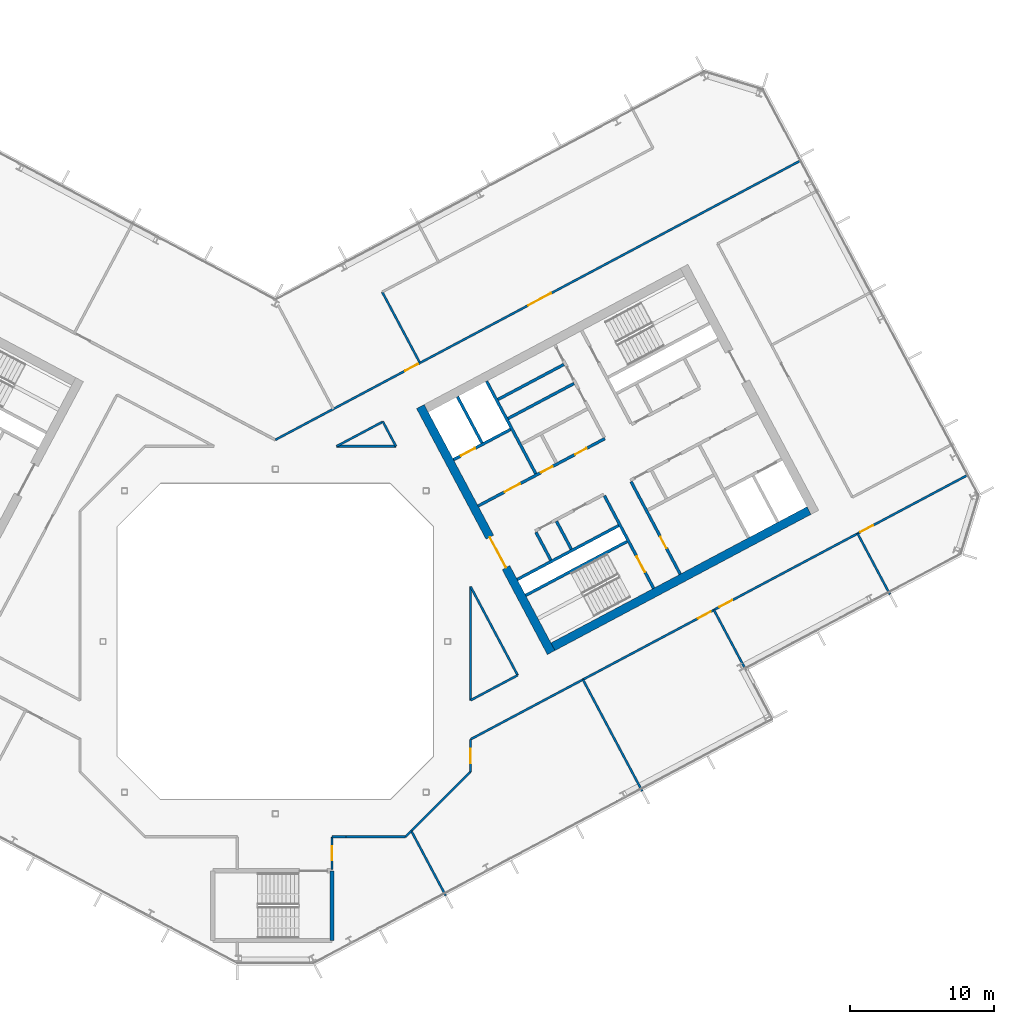
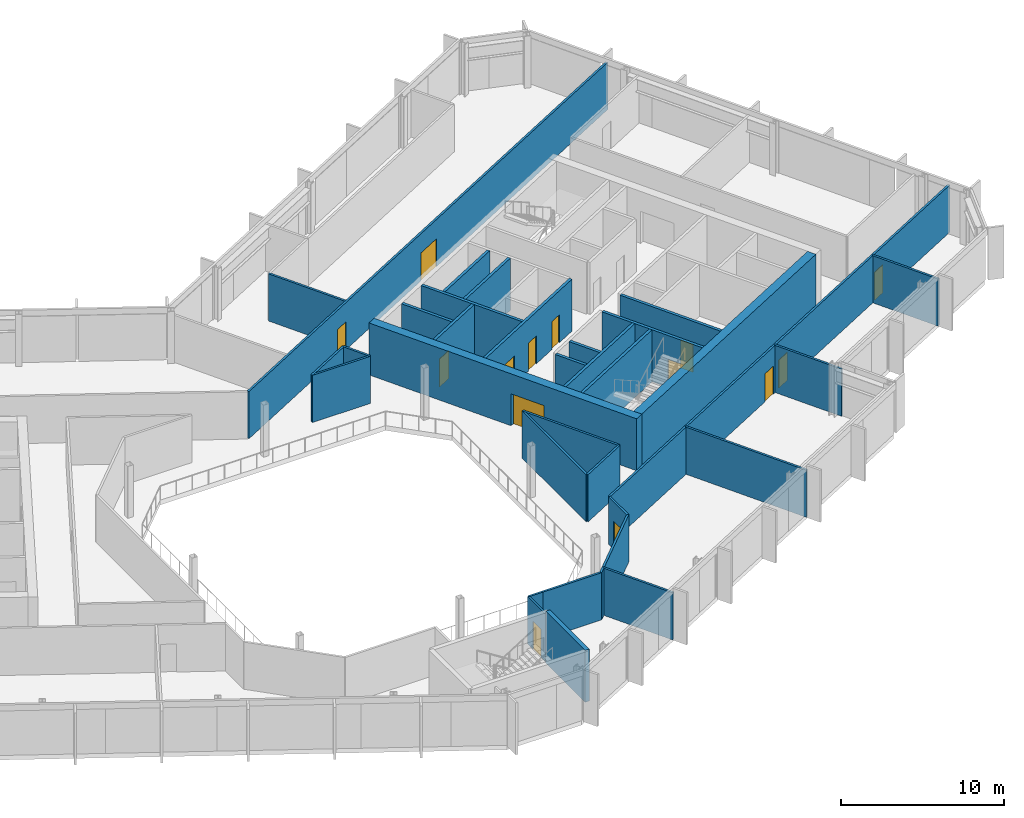
# One storey, part 15 of 26: 34 walls, 14 doors, 14 openings.
"""IFC4 building model written with IfcOpenShell, lengths in metres."""

from ifc_helpers import new_model, si_unit, direction, frame, frame_2d, origin, place, context, subcontext, project, spatial, rectangle, extrude, material, layer, layer_set, type_object, element, fill, save


model = new_model("IFC4")

# Units and contexts
model_context = context("Model", 3, precision=1e-05, world=origin(), true_north=direction((0.0, 1.0)))
body_context = subcontext(model_context, "Body", "Model", "MODEL_VIEW")
ifc_project = project(units=[si_unit("LENGTHUNIT", "METRE"), si_unit("AREAUNIT", "SQUARE_METRE"), si_unit("VOLUMEUNIT", "CUBIC_METRE"), si_unit("PLANEANGLEUNIT", "RADIAN"), si_unit("MASSUNIT", "GRAM", prefix="KILO")], contexts=[model_context])

# Site, building, storey
site_placement = place(None, origin())
site = spatial("IfcSite", under=ifc_project, at=site_placement, CompositionType="ELEMENT")
building_placement = place(site_placement, origin())
building = spatial("IfcBuilding", under=site, at=building_placement, Name="Cormorant Relay Tower", CompositionType="ELEMENT")
storey_placement = place(building_placement, frame((0.0, 0.0, 236.39990234375)))
storey = spatial("IfcBuildingStorey", under=building, at=storey_placement, Name="L52", CompositionType="ELEMENT", Elevation=236.39990234375)

# Walls
ifc_material_1 = material(Name="Concrete 40 MPa", Category="concrete")
ifc_layer_1 = layer(ifc_material_1, 0.199951171875)
ifc_layer_set_1 = layer_set([ifc_layer_1], Name="Core internal wall 200")
wall_type_1 = type_object("IfcWallType", Name="Core internal wall 200", PredefinedType="SOLIDWALL", material=ifc_layer_set_1)
wall_1_placement = place(storey_placement, frame((20.614013671875, 6.430419921875, 0.0), z_axis=(0.0, 0.0, 1.0), x_axis=(-0.4694473164, 0.882960484464, 0.0)))
element("IfcWall", 1, at=wall_1_placement, inside=storey, type_object=wall_type_1, Name="L52 core B shaft and room wall", PredefinedType="SOLIDWALL", context=body_context, shape_type="SweptSolid", body=[
    extrude(rectangle(XDim=2.199951171875, YDim=0.199951171875, at=frame_2d((1.10009765625, 0.0))), origin(), (0.0, 0.0, 1.0), 3.900146484375),
])
for number, where, z_axis, x_axis, name in (
    (2, (16.2080078125, 15.526611328125, 0.0), (0.0, 0.0, 1.0), (0.882953967957, 0.469459572775, 0.0), "L52 core B shaft and room wall"),
    (3, (15.503662109375, 16.85107421875, 0.0), (0.0, 0.0, 1.0), (0.882953967957, 0.469459572775, 0.0), "L52 core B shaft and room wall"),
):
    element("IfcWall", number, at=place(storey_placement, frame(where, z_axis=z_axis, x_axis=x_axis)), inside=storey, type_object=wall_type_1, Name=name, PredefinedType="SOLIDWALL", context=body_context, shape_type="SweptSolid", body=[
        extrude(rectangle(XDim=5.199951171875, YDim=0.199951171875, at=frame_2d((2.60009765625, 0.0))), origin(), (0.0, 0.0, 1.0), 3.900146484375),
    ])
ifc_material_2 = material(Name="Concrete 50 MPa", Category="concrete")
ifc_layer_2 = layer(ifc_material_2, 0.199951171875)
ifc_layer_set_2 = layer_set([ifc_layer_2], Name="Core shaft wall 200")
wall_type_2 = type_object("IfcWallType", Name="Core shaft wall 200", PredefinedType="SHEAR", material=ifc_layer_set_2)
wall_2_placement = place(storey_placement, frame((14.39404296875, 13.825927734375, 0.0), z_axis=(0.0, 0.0, 1.0), x_axis=(-0.469494272526, 0.882935517501, 0.0)))
element("IfcWall", 4, at=wall_2_placement, inside=storey, type_object=wall_type_2, Name="L52 core B shaft wall", PredefinedType="SHEAR", context=body_context, shape_type="SweptSolid", body=[
    extrude(rectangle(XDim=3.64990234375, YDim=0.199951171875, at=frame_2d((1.824951171875, 0.0))), origin(), (0.0, 0.0, 1.0), 3.900146484375),
])
wall_3_placement = place(storey_placement, frame((19.18359375, 5.669921875, 0.0), z_axis=(0.0, 0.0, 1.0), x_axis=(-0.4694473164, 0.882960484464, 0.0)))
element("IfcWall", 5, at=wall_3_placement, inside=storey, type_object=wall_type_2, Name="L52 core B shaft wall", PredefinedType="SHEAR", context=body_context, shape_type="SweptSolid", body=[
    extrude(rectangle(XDim=2.199951171875, YDim=0.199951171875, at=frame_2d((1.10009765625, 0.0))), origin(), (0.0, 0.0, 1.0), 3.900146484375),
])
wall_4_placement = place(storey_placement, frame((18.138427734375, 11.682861328125, 0.0), z_axis=(0.0, 0.0, 1.0), x_axis=(-0.469480409012, 0.88294288918, 0.0)))
element("IfcWall", 6, at=wall_4_placement, inside=storey, type_object=wall_type_2, Name="L52 core B shaft wall", PredefinedType="SHEAR", context=body_context, shape_type="SweptSolid", body=[
    extrude(rectangle(XDim=7.300048828125, YDim=0.199951171875, at=frame_2d((3.64990234375, 0.0))), origin(), (0.0, 0.0, 1.0), 3.900146484375),
])

# Wall, opening, door
wall_5_placement = place(storey_placement, frame((26.345947265625, 3.701904296875, 0.0), z_axis=(0.0, 0.0, 1.0), x_axis=(-0.469480409012, 0.88294288918, 0.0)))
wall_5 = element("IfcWall", 7, at=wall_5_placement, inside=storey, type_object=wall_type_2, Name="L52 core B shaft wall", PredefinedType="SHEAR", context=body_context, shape_type="SweptSolid", body=[
    extrude(rectangle(XDim=7.300048828125, YDim=0.199951171875, at=frame_2d((3.64990234375, 0.0))), origin(), (0.0, 0.0, 1.0), 3.900146484375),
])
opening_1_placement = place(wall_5_placement, frame((1.300048828125, 0.0, 0.0)))
opening_1 = element("IfcOpeningElement", 8, at=opening_1_placement, cuts=wall_5, Name="Opening CDB-040", PredefinedType="OPENING", context=body_context, shape_type="SweptSolid", body=[
    extrude(rectangle(XDim=1.199951171875, YDim=2.10009765625, at=frame_2d((0.60009765625, 1.050048828125))), frame((0.0, 0.10986328125, 0.0), z_axis=(0.0, -1.0, 0.0), x_axis=(1.0, 0.0, 0.0)), (0.0, 0.0, 1.0), 0.219970703125),
])
ifc_material_3 = material(Name="Steel fire door", Category="steel")
door_type_1 = type_object("IfcDoorType", Name="Core stair door 1200x2100", OperationType="SINGLE_SWING_LEFT", PredefinedType="DOOR", material=ifc_material_3)
door_1_placement = place(opening_1_placement, origin())
door_1 = element("IfcDoor", 9, at=door_1_placement, inside=storey, type_object=door_type_1, Name="Core stair door 1200x2100", OperationType="SINGLE_SWING_RIGHT", OverallHeight=2.10009765625, OverallWidth=1.199951171875, PredefinedType="DOOR", context=body_context, shape_type="SweptSolid", body=[
    extrude(rectangle(XDim=1.199951171875, YDim=2.10009765625, at=frame_2d((0.60009765625, 1.050048828125))), frame((0.0, 0.02490234375, 0.0), z_axis=(0.0, -1.0, 0.0), x_axis=(1.0, 0.0, 0.0)), (0.0, 0.0, 1.0), 0.050048828125),
])
fill(opening_1, door_1)

wall_6_placement = place(storey_placement, frame((28.199951171875, 4.687744140625, 0.0), z_axis=(0.0, 0.0, 1.0), x_axis=(-0.469454336211, 0.882956752176, 0.0)))
wall_6 = element("IfcWall", 10, at=wall_6_placement, inside=storey, type_object=wall_type_2, Name="L52 core B shaft wall", PredefinedType="SHEAR", context=body_context, shape_type="SweptSolid", body=[
    extrude(rectangle(XDim=7.300048828125, YDim=0.199951171875, at=frame_2d((3.64990234375, 0.0))), origin(), (0.0, 0.0, 1.0), 3.900146484375),
])
opening_2_placement = place(wall_6_placement, frame((2.050048828125, 0.0, 0.0)))
opening_2 = element("IfcOpeningElement", 11, at=opening_2_placement, cuts=wall_6, Name="Opening CDD-302", PredefinedType="OPENING", context=body_context, shape_type="SweptSolid", body=[
    extrude(rectangle(XDim=0.89990234375, YDim=2.10009765625, at=frame_2d((0.449951171875, 1.050048828125))), frame((0.0, 0.10986328125, 0.0), z_axis=(0.0, -1.0, 0.0), x_axis=(1.0, 0.0, 0.0)), (0.0, 0.0, 1.0), 0.219970703125),
])
ifc_material_4 = material(Name="Steel fire door", Category="steel")
door_type_2 = type_object("IfcDoorType", Name="Core room door 900x2100", OperationType="SINGLE_SWING_LEFT", PredefinedType="DOOR", material=ifc_material_4)
door_2_placement = place(opening_2_placement, origin())
door_2 = element("IfcDoor", 12, at=door_2_placement, inside=storey, type_object=door_type_2, Name="Core room door 900x2100", OperationType="SINGLE_SWING_RIGHT", OverallHeight=2.10009765625, OverallWidth=0.89990234375, PredefinedType="DOOR", context=body_context, shape_type="SweptSolid", body=[
    extrude(rectangle(XDim=0.89990234375, YDim=2.10009765625, at=frame_2d((0.449951171875, 1.050048828125))), frame((0.0, 0.02490234375, 0.0), z_axis=(0.0, -1.0, 0.0), x_axis=(1.0, 0.0, 0.0)), (0.0, 0.0, 1.0), 0.050048828125),
])
fill(opening_2, door_2)

# Walls
for number, where, z_axis, x_axis, name in (
    (13, (17.43359375, 3.210205078125, 0.0), (0.0, 0.0, 1.0), (0.882940221191, 0.469485426614, 0.0), "L52 core B shaft wall"),
    (14, (16.8466796875, 4.31396484375, 0.0), (0.0, 0.0, 1.0), (0.882940221191, 0.469485426614, 0.0), "L52 core B shaft wall"),
):
    element("IfcWall", number, at=place(storey_placement, frame(where, z_axis=z_axis, x_axis=x_axis)), inside=storey, type_object=wall_type_2, Name=name, PredefinedType="SHEAR", context=body_context, shape_type="SweptSolid", body=[
        extrude(rectangle(XDim=8.0, YDim=0.199951171875, at=frame_2d((4.0, 0.0))), origin(), (0.0, 0.0, 1.0), 3.900146484375),
    ])

# Wall, openings, doors
wall_7_placement = place(storey_placement, frame((14.123779296875, 9.43505859375, 0.0), z_axis=(0.0, 0.0, 1.0), x_axis=(0.882940221191, 0.469485426614, 0.0)))
wall_7 = element("IfcWall", 15, at=wall_7_placement, inside=storey, type_object=wall_type_2, Name="L52 core B shaft wall", PredefinedType="SHEAR", context=body_context, shape_type="SweptSolid", body=[
    extrude(rectangle(XDim=10.0, YDim=0.199951171875, at=frame_2d((5.0, 0.0))), origin(), (0.0, 0.0, 1.0), 3.900146484375),
])
opening_3_placement = place(wall_7_placement, frame((2.10009765625, 0.0, 0.0)))
opening_3 = element("IfcOpeningElement", 16, at=opening_3_placement, cuts=wall_7, Name="Opening CDC-037", PredefinedType="OPENING", context=body_context, shape_type="SweptSolid", body=[
    extrude(rectangle(XDim=1.199951171875, YDim=2.10009765625, at=frame_2d((0.60009765625, 1.050048828125))), frame((0.0, 0.10986328125, 0.0), z_axis=(0.0, -1.0, 0.0), x_axis=(1.0, 0.0, 0.0)), (0.0, 0.0, 1.0), 0.219970703125),
])
opening_4_placement = place(wall_7_placement, frame((4.9599609375, 0.0, 0.0)))
opening_4 = element("IfcOpeningElement", 17, at=opening_4_placement, cuts=wall_7, Name="Opening CDD-293", PredefinedType="OPENING", context=body_context, shape_type="SweptSolid", body=[
    extrude(rectangle(XDim=0.89990234375, YDim=2.10009765625, at=frame_2d((0.449951171875, 1.050048828125))), frame((0.0, 0.10986328125, 0.0), z_axis=(0.0, -1.0, 0.0), x_axis=(1.0, 0.0, 0.0)), (0.0, 0.0, 1.0), 0.219970703125),
])
opening_5_placement = place(wall_7_placement, frame((7.659912109375, 0.0, 0.0)))
opening_5 = element("IfcOpeningElement", 18, at=opening_5_placement, cuts=wall_7, Name="Opening CDD-272", PredefinedType="OPENING", context=body_context, shape_type="SweptSolid", body=[
    extrude(rectangle(XDim=0.89990234375, YDim=2.10009765625, at=frame_2d((0.449951171875, 1.050048828125))), frame((0.0, 0.10986328125, 0.0), z_axis=(0.0, -1.0, 0.0), x_axis=(1.0, 0.0, 0.0)), (0.0, 0.0, 1.0), 0.219970703125),
])
ifc_material_5 = material(Name="Steel fire door", Category="steel")
door_type_3 = type_object("IfcDoorType", Name="Core lobby door 1200x2100", OperationType="SINGLE_SWING_LEFT", PredefinedType="DOOR", material=ifc_material_5)
door_3_placement = place(opening_3_placement, origin())
door_3 = element("IfcDoor", 19, at=door_3_placement, inside=storey, type_object=door_type_3, Name="Core lobby door 1200x2100", OperationType="SINGLE_SWING_RIGHT", OverallHeight=2.10009765625, OverallWidth=1.199951171875, PredefinedType="DOOR", context=body_context, shape_type="SweptSolid", body=[
    extrude(rectangle(XDim=1.199951171875, YDim=2.10009765625, at=frame_2d((0.60009765625, 1.050048828125))), frame((0.0, 0.02490234375, 0.0), z_axis=(0.0, -1.0, 0.0), x_axis=(1.0, 0.0, 0.0)), (0.0, 0.0, 1.0), 0.050048828125),
])
fill(opening_3, door_3)
door_4_placement = place(opening_4_placement, origin())
door_4 = element("IfcDoor", 20, at=door_4_placement, inside=storey, type_object=door_type_2, Name="Core room door 900x2100", OperationType="SINGLE_SWING_LEFT", OverallHeight=2.10009765625, OverallWidth=0.89990234375, PredefinedType="DOOR", context=body_context, shape_type="SweptSolid", body=[
    extrude(rectangle(XDim=0.89990234375, YDim=2.10009765625, at=frame_2d((0.449951171875, 1.050048828125))), frame((0.0, 0.02490234375, 0.0), z_axis=(0.0, -1.0, 0.0), x_axis=(1.0, 0.0, 0.0)), (0.0, 0.0, 1.0), 0.050048828125),
])
fill(opening_4, door_4)
door_5_placement = place(opening_5_placement, origin())
door_5 = element("IfcDoor", 21, at=door_5_placement, inside=storey, type_object=door_type_2, Name="Core room door 900x2100", OperationType="SINGLE_SWING_LEFT", OverallHeight=2.10009765625, OverallWidth=0.89990234375, PredefinedType="DOOR", context=body_context, shape_type="SweptSolid", body=[
    extrude(rectangle(XDim=0.89990234375, YDim=2.10009765625, at=frame_2d((0.449951171875, 1.050048828125))), frame((0.0, 0.02490234375, 0.0), z_axis=(0.0, -1.0, 0.0), x_axis=(1.0, 0.0, 0.0)), (0.0, 0.0, 1.0), 0.050048828125),
])
fill(opening_5, door_5)

# Wall, opening, door
wall_8_placement = place(storey_placement, frame((12.41015625, 12.657958984375, 0.0), z_axis=(0.0, 0.0, 1.0), x_axis=(0.8829484765, 0.469469900894, 0.0)))
wall_8 = element("IfcWall", 22, at=wall_8_placement, inside=storey, type_object=wall_type_2, Name="L52 core B shaft wall", PredefinedType="SHEAR", context=body_context, shape_type="SweptSolid", body=[
    extrude(rectangle(XDim=4.499755859375, YDim=0.199951171875, at=frame_2d((2.25, 0.0))), origin(), (0.0, 0.0, 1.0), 3.900146484375),
])
opening_6_placement = place(wall_8_placement, frame((0.60009765625, 0.0, 0.0)))
opening_6 = element("IfcOpeningElement", 23, at=opening_6_placement, cuts=wall_8, Name="Opening LD1-064", PredefinedType="OPENING", context=body_context, shape_type="SweptSolid", body=[
    extrude(rectangle(XDim=1.10009765625, YDim=2.10009765625, at=frame_2d((0.550048828125, 1.050048828125))), frame((0.0, 0.10986328125, 0.0), z_axis=(0.0, -1.0, 0.0), x_axis=(1.0, 0.0, 0.0)), (0.0, 0.0, 1.0), 0.219970703125),
])
ifc_material_6 = material(Name="Stainless steel 316", Category="steel")
door_type_4 = type_object("IfcDoorType", Name="Lift landing door 1100x2100", OperationType="DOUBLE_DOOR_SLIDING", PredefinedType="DOOR", material=ifc_material_6)
door_6_placement = place(opening_6_placement, origin())
door_6 = element("IfcDoor", 24, at=door_6_placement, inside=storey, type_object=door_type_4, Name="FF2 landing door", OperationType="DOUBLE_DOOR_SLIDING", OverallHeight=2.10009765625, OverallWidth=1.10009765625, PredefinedType="DOOR", context=body_context, shape_type="SweptSolid", body=[
    extrude(rectangle(XDim=1.10009765625, YDim=2.10009765625, at=frame_2d((0.550048828125, 1.050048828125))), frame((0.0, 0.02490234375, 0.0), z_axis=(0.0, -1.0, 0.0), x_axis=(1.0, 0.0, 0.0)), (0.0, 0.0, 1.0), 0.050048828125),
])
fill(opening_6, door_6)

ifc_material_7 = material(Name="Concrete 50 MPa", Category="concrete")
ifc_layer_3 = layer(ifc_material_7, 0.60009765625)
ifc_layer_set_3 = layer_set([ifc_layer_3], Name="Core wall 600")
wall_type_3 = type_object("IfcWallType", Name="Core wall 600", PredefinedType="SHEAR", material=ifc_layer_set_3)
wall_9_placement = place(storey_placement, frame((19.210693359375, -0.771484375, 0.0), z_axis=(0.0, 0.0, 1.0), x_axis=(-0.469463742137, 0.882951751127, 0.0)))
wall_9 = element("IfcWall", 25, at=wall_9_placement, inside=storey, type_object=wall_type_3, Name="L52 core B wall", PredefinedType="SHEAR", context=body_context, shape_type="SweptSolid", body=[
    extrude(rectangle(XDim=19.400146484375, YDim=0.60009765625, at=frame_2d((9.7001953125, 0.0))), origin(), (0.0, 0.0, 1.0), 3.900146484375),
])
opening_7_placement = place(wall_9_placement, frame((6.699951171875, 0.0, 0.0)))
opening_7 = element("IfcOpeningElement", 26, at=opening_7_placement, cuts=wall_9, Name="Opening CDA-044", PredefinedType="OPENING", context=body_context, shape_type="SweptSolid", body=[
    extrude(rectangle(XDim=2.39990234375, YDim=2.39990234375, at=frame_2d((1.199951171875, 1.199951171875))), frame((0.0, 0.31005859375, 0.0), z_axis=(0.0, -1.0, 0.0), x_axis=(1.0, 0.0, 0.0)), (0.0, 0.0, 1.0), 0.6201171875),
])
ifc_material_8 = material(Name="Steel fire door", Category="steel")
door_type_5 = type_object("IfcDoorType", Name="Core lobby door 2400x2400", OperationType="DOUBLE_DOOR_SINGLE_SWING", PredefinedType="DOOR", material=ifc_material_8)
door_7_placement = place(opening_7_placement, origin())
door_7 = element("IfcDoor", 27, at=door_7_placement, inside=storey, type_object=door_type_5, Name="Core lobby door 2400x2400", OperationType="DOUBLE_DOOR_SINGLE_SWING", OverallHeight=2.39990234375, OverallWidth=2.39990234375, PredefinedType="DOOR", context=body_context, shape_type="SweptSolid", body=[
    extrude(rectangle(XDim=2.39990234375, YDim=2.39990234375, at=frame_2d((1.199951171875, 1.199951171875))), frame((0.0, 0.02490234375, 0.0), z_axis=(0.0, -1.0, 0.0), x_axis=(1.0, 0.0, 0.0)), (0.0, 0.0, 1.0), 0.050048828125),
])
fill(opening_7, door_7)

# Wall
wall_10_placement = place(storey_placement, frame((19.3349609375, -0.36572265625, 0.0), z_axis=(0.0, 0.0, 1.0), x_axis=(0.88294509198, 0.469476266226, 0.0)))
element("IfcWall", 28, at=wall_10_placement, inside=storey, type_object=wall_type_3, Name="L52 core B wall", PredefinedType="SHEAR", context=body_context, shape_type="SweptSolid", body=[
    extrude(rectangle(XDim=20.199951171875, YDim=0.60009765625, at=frame_2d((10.10009765625, 0.0))), origin(), (0.0, 0.0, 1.0), 3.900146484375),
])

# Wall, openings, doors
ifc_material_9 = material(Name="Gypsum board fire partition")
ifc_layer_4 = layer(ifc_material_9, 0.14990234375)
ifc_layer_set_4 = layer_set([ifc_layer_4], Name="Corridor partition 150 EI 60")
wall_type_4 = type_object("IfcWallType", Name="Corridor partition 150 EI 60", PredefinedType="PARTITIONING", material=ifc_layer_set_4)
wall_11_placement = place(storey_placement, frame((0.0, 14.0439453125, 0.0), z_axis=(0.0, 0.0, 1.0), x_axis=(0.882962129795, 0.469444221764, 0.0)))
wall_11 = element("IfcWall", 29, at=wall_11_placement, inside=storey, type_object=wall_type_4, Name="wall/L52/part/011", PredefinedType="PARTITIONING", context=body_context, shape_type="SweptSolid", body=[
    extrude(rectangle(XDim=41.606689453125, YDim=0.14990234375, at=frame_2d((20.80322265625, 0.0))), origin(), (0.0, 0.0, 1.0), 3.5400390625),
])
opening_8_placement = place(wall_11_placement, frame((19.949951171875, 0.0, 0.0)))
opening_8 = element("IfcOpeningElement", 30, at=opening_8_placement, cuts=wall_11, Name="Opening DD-023", PredefinedType="OPENING", context=body_context, shape_type="SweptSolid", body=[
    extrude(rectangle(XDim=1.800048828125, YDim=2.10009765625, at=frame_2d((0.89990234375, 1.050048828125))), frame((0.0, 0.0849609375, 0.0), z_axis=(0.0, -1.0, 0.0), x_axis=(1.0, 0.0, 0.0)), (0.0, 0.0, 1.0), 0.169921875),
])
opening_9_placement = place(wall_11_placement, frame((10.25, 0.0, 0.0)))
opening_9 = element("IfcOpeningElement", 31, at=opening_9_placement, cuts=wall_11, Name="Opening DS-118", PredefinedType="OPENING", context=body_context, shape_type="SweptSolid", body=[
    extrude(rectangle(XDim=1.0, YDim=2.10009765625, at=frame_2d((0.5, 1.050048828125))), frame((0.0, 0.0849609375, 0.0), z_axis=(0.0, -1.0, 0.0), x_axis=(1.0, 0.0, 0.0)), (0.0, 0.0, 1.0), 0.169921875),
])
ifc_material_10 = material(Name="Timber door leaf", Category="wood")
door_type_6 = type_object("IfcDoorType", Name="Suite door 1000x2100", OperationType="SINGLE_SWING_LEFT", PredefinedType="DOOR", material=ifc_material_10)
door_8_placement = place(opening_9_placement, origin())
door_8 = element("IfcDoor", 32, at=door_8_placement, inside=storey, type_object=door_type_6, Name="door/L52/014", OperationType="SINGLE_SWING_RIGHT", OverallHeight=2.10009765625, OverallWidth=1.0, PredefinedType="DOOR", context=body_context, shape_type="SweptSolid", body=[
    extrude(rectangle(XDim=1.0, YDim=2.10009765625, at=frame_2d((0.5, 1.050048828125))), frame((0.0, 0.02490234375, 0.0), z_axis=(0.0, -1.0, 0.0), x_axis=(1.0, 0.0, 0.0)), (0.0, 0.0, 1.0), 0.050048828125),
])
fill(opening_9, door_8)
ifc_material_11 = material(Name="Timber door leaf", Category="wood")
door_type_7 = type_object("IfcDoorType", Name="Suite double door 1800x2100", OperationType="DOUBLE_DOOR_SINGLE_SWING", PredefinedType="DOOR", material=ifc_material_11)
door_9_placement = place(opening_8_placement, origin())
door_9 = element("IfcDoor", 33, at=door_9_placement, inside=storey, type_object=door_type_7, Name="door/L52/013", OperationType="DOUBLE_DOOR_SINGLE_SWING", OverallHeight=2.10009765625, OverallWidth=1.800048828125, PredefinedType="DOOR", context=body_context, shape_type="SweptSolid", body=[
    extrude(rectangle(XDim=1.800048828125, YDim=2.10009765625, at=frame_2d((0.89990234375, 1.050048828125))), frame((0.0, 0.02490234375, 0.0), z_axis=(0.0, -1.0, 0.0), x_axis=(1.0, 0.0, 0.0)), (0.0, 0.0, 1.0), 0.050048828125),
])
fill(opening_8, door_9)

# Wall
wall_12_placement = place(storey_placement, frame((4.93798828125, -13.60009765625, 0.0), z_axis=(0.0, 0.0, 1.0), x_axis=(-1.0, 0.0, 0.0)))
element("IfcWall", 34, at=wall_12_placement, inside=storey, type_object=wall_type_4, Name="wall/L52/part/025", PredefinedType="PARTITIONING", context=body_context, shape_type="SweptSolid", body=[
    extrude(rectangle(XDim=0.988037109375, YDim=0.14990234375, at=frame_2d((0.494140625, 0.0))), origin(), (0.0, 0.0, 1.0), 3.5400390625),
])

# Wall, opening, door
wall_13_placement = place(storey_placement, frame((3.949951171875, -13.60009765625, 0.0), z_axis=(0.0, 0.0, 1.0), x_axis=(0.0, -1.0, 0.0)))
wall_13 = element("IfcWall", 35, at=wall_13_placement, inside=storey, type_object=wall_type_4, Name="wall/L52/part/026", PredefinedType="PARTITIONING", context=body_context, shape_type="SweptSolid", body=[
    extrude(rectangle(XDim=2.27490234375, YDim=0.14990234375, at=frame_2d((1.137451171875, 0.0))), origin(), (0.0, 0.0, 1.0), 3.5400390625),
])
opening_10_placement = place(wall_13_placement, frame((0.64990234375, 0.0, 0.0)))
opening_10 = element("IfcOpeningElement", 36, at=opening_10_placement, cuts=wall_13, Name="Opening DS-138", PredefinedType="OPENING", context=body_context, shape_type="SweptSolid", body=[
    extrude(rectangle(XDim=1.0, YDim=2.10009765625, at=frame_2d((0.5, 1.050048828125))), frame((0.0, 0.0849609375, 0.0), z_axis=(0.0, -1.0, 0.0), x_axis=(1.0, 0.0, 0.0)), (0.0, 0.0, 1.0), 0.169921875),
])
door_10_placement = place(opening_10_placement, origin())
door_10 = element("IfcDoor", 37, at=door_10_placement, inside=storey, type_object=door_type_6, Name="door/L52/001", OperationType="SINGLE_SWING_LEFT", OverallHeight=2.10009765625, OverallWidth=1.0, PredefinedType="DOOR", context=body_context, shape_type="SweptSolid", body=[
    extrude(rectangle(XDim=1.0, YDim=2.10009765625, at=frame_2d((0.5, 1.050048828125))), frame((0.0, 0.02490234375, 0.0), z_axis=(0.0, -1.0, 0.0), x_axis=(1.0, 0.0, 0.0)), (0.0, 0.0, 1.0), 0.050048828125),
])
fill(opening_10, door_10)

# Walls
wall_14_placement = place(storey_placement, frame((9.472900390625, -13.2041015625, 0.0), z_axis=(0.0, 0.0, 1.0), x_axis=(-0.707106781187, -0.707106781187, 0.0)))
element("IfcWall", 38, at=wall_14_placement, inside=storey, type_object=wall_type_4, Name="wall/L52/part/027", PredefinedType="PARTITIONING", context=body_context, shape_type="SweptSolid", body=[
    extrude(rectangle(XDim=0.56005859375, YDim=0.14990234375, at=frame_2d((0.280029296875, 0.0))), origin(), (0.0, 0.0, 1.0), 3.5400390625),
])
wall_15_placement = place(storey_placement, frame((9.076904296875, -13.60009765625, 0.0), z_axis=(0.0, 0.0, 1.0), x_axis=(-1.0, 0.0, 0.0)))
element("IfcWall", 39, at=wall_15_placement, inside=storey, type_object=wall_type_4, Name="wall/L52/part/028", PredefinedType="PARTITIONING", context=body_context, shape_type="SweptSolid", body=[
    extrude(rectangle(XDim=4.138916015625, YDim=0.14990234375, at=frame_2d((2.0693359375, 0.0))), origin(), (0.0, 0.0, 1.0), 3.5400390625),
])

# Wall, opening, door
wall_16_placement = place(storey_placement, frame((13.60009765625, -6.827880859375, 0.0), z_axis=(0.0, 0.0, 1.0), x_axis=(0.0, -1.0, 0.0)))
wall_16 = element("IfcWall", 40, at=wall_16_placement, inside=storey, type_object=wall_type_4, Name="wall/L52/part/030", PredefinedType="PARTITIONING", context=body_context, shape_type="SweptSolid", body=[
    extrude(rectangle(XDim=2.2490234375, YDim=0.14990234375, at=frame_2d((1.12451171875, 0.0))), origin(), (0.0, 0.0, 1.0), 3.5400390625),
])
opening_11_placement = place(wall_16_placement, frame((0.64990234375, 0.0, 0.0)))
opening_11 = element("IfcOpeningElement", 41, at=opening_11_placement, cuts=wall_16, Name="Opening DS-165", PredefinedType="OPENING", context=body_context, shape_type="SweptSolid", body=[
    extrude(rectangle(XDim=1.0, YDim=2.10009765625, at=frame_2d((0.5, 1.050048828125))), frame((0.0, 0.0849609375, 0.0), z_axis=(0.0, -1.0, 0.0), x_axis=(1.0, 0.0, 0.0)), (0.0, 0.0, 1.0), 0.169921875),
])
door_11_placement = place(opening_11_placement, origin())
door_11 = element("IfcDoor", 42, at=door_11_placement, inside=storey, type_object=door_type_6, Name="door/L52/002", OperationType="SINGLE_SWING_LEFT", OverallHeight=2.10009765625, OverallWidth=1.0, PredefinedType="DOOR", context=body_context, shape_type="SweptSolid", body=[
    extrude(rectangle(XDim=1.0, YDim=2.10009765625, at=frame_2d((0.5, 1.050048828125))), frame((0.0, 0.02490234375, 0.0), z_axis=(0.0, -1.0, 0.0), x_axis=(1.0, 0.0, 0.0)), (0.0, 0.0, 1.0), 0.050048828125),
])
fill(opening_11, door_11)

# Wall
wall_17_placement = place(storey_placement, frame((13.60009765625, -9.076904296875, 0.0), z_axis=(0.0, 0.0, 1.0), x_axis=(-0.707106781187, -0.707106781187, 0.0)))
element("IfcWall", 43, at=wall_17_placement, inside=storey, type_object=wall_type_4, Name="wall/L52/part/031", PredefinedType="PARTITIONING", context=body_context, shape_type="SweptSolid", body=[
    extrude(rectangle(XDim=5.882080078125, YDim=0.14990234375, at=frame_2d((2.94091796875, 0.0))), origin(), (0.0, 0.0, 1.0), 3.5400390625),
])

# Wall, openings, doors
wall_18_placement = place(storey_placement, frame((48.3798828125, 11.678955078125, 0.0), z_axis=(0.0, 0.0, 1.0), x_axis=(-0.882955973974, -0.469455799862, 0.0)))
wall_18 = element("IfcWall", 44, at=wall_18_placement, inside=storey, type_object=wall_type_4, Name="wall/L52/part/038", PredefinedType="PARTITIONING", context=body_context, shape_type="SweptSolid", body=[
    extrude(rectangle(XDim=39.39013671875, YDim=0.14990234375, at=frame_2d((19.695068359375, 0.0))), origin(), (0.0, 0.0, 1.0), 3.5400390625),
])
opening_12_placement = place(wall_18_placement, frame((20.449951171875, 0.0, 0.0)))
opening_12 = element("IfcOpeningElement", 45, at=opening_12_placement, cuts=wall_18, Name="Opening DS-166", PredefinedType="OPENING", context=body_context, shape_type="SweptSolid", body=[
    extrude(rectangle(XDim=1.0, YDim=2.10009765625, at=frame_2d((0.5, 1.050048828125))), frame((0.0, 0.0849609375, 0.0), z_axis=(0.0, -1.0, 0.0), x_axis=(1.0, 0.0, 0.0)), (0.0, 0.0, 1.0), 0.169921875),
])
opening_13_placement = place(wall_18_placement, frame((18.75, 0.0, 0.0)))
opening_13 = element("IfcOpeningElement", 46, at=opening_13_placement, cuts=wall_18, Name="Opening DS-167", PredefinedType="OPENING", context=body_context, shape_type="SweptSolid", body=[
    extrude(rectangle(XDim=1.0, YDim=2.10009765625, at=frame_2d((0.5, 1.050048828125))), frame((0.0, 0.0849609375, 0.0), z_axis=(0.0, -1.0, 0.0), x_axis=(1.0, 0.0, 0.0)), (0.0, 0.0, 1.0), 0.169921875),
])
opening_14_placement = place(wall_18_placement, frame((7.64990234375, 0.0, 0.0)))
opening_14 = element("IfcOpeningElement", 47, at=opening_14_placement, cuts=wall_18, Name="Opening DS-168", PredefinedType="OPENING", context=body_context, shape_type="SweptSolid", body=[
    extrude(rectangle(XDim=1.0, YDim=2.10009765625, at=frame_2d((0.5, 1.050048828125))), frame((0.0, 0.0849609375, 0.0), z_axis=(0.0, -1.0, 0.0), x_axis=(1.0, 0.0, 0.0)), (0.0, 0.0, 1.0), 0.169921875),
])
door_12_placement = place(opening_12_placement, origin())
door_12 = element("IfcDoor", 48, at=door_12_placement, inside=storey, type_object=door_type_6, Name="door/L52/003", OperationType="SINGLE_SWING_LEFT", OverallHeight=2.10009765625, OverallWidth=1.0, PredefinedType="DOOR", context=body_context, shape_type="SweptSolid", body=[
    extrude(rectangle(XDim=1.0, YDim=2.10009765625, at=frame_2d((0.5, 1.050048828125))), frame((0.0, 0.02490234375, 0.0), z_axis=(0.0, -1.0, 0.0), x_axis=(1.0, 0.0, 0.0)), (0.0, 0.0, 1.0), 0.050048828125),
])
fill(opening_12, door_12)
door_13_placement = place(opening_13_placement, origin())
door_13 = element("IfcDoor", 49, at=door_13_placement, inside=storey, type_object=door_type_6, Name="door/L52/004", OperationType="SINGLE_SWING_RIGHT", OverallHeight=2.10009765625, OverallWidth=1.0, PredefinedType="DOOR", context=body_context, shape_type="SweptSolid", body=[
    extrude(rectangle(XDim=1.0, YDim=2.10009765625, at=frame_2d((0.5, 1.050048828125))), frame((0.0, 0.02490234375, 0.0), z_axis=(0.0, -1.0, 0.0), x_axis=(1.0, 0.0, 0.0)), (0.0, 0.0, 1.0), 0.050048828125),
])
fill(opening_13, door_13)
door_14_placement = place(opening_14_placement, origin())
door_14 = element("IfcDoor", 50, at=door_14_placement, inside=storey, type_object=door_type_6, Name="door/L52/005", OperationType="SINGLE_SWING_RIGHT", OverallHeight=2.10009765625, OverallWidth=1.0, PredefinedType="DOOR", context=body_context, shape_type="SweptSolid", body=[
    extrude(rectangle(XDim=1.0, YDim=2.10009765625, at=frame_2d((0.5, 1.050048828125))), frame((0.0, 0.02490234375, 0.0), z_axis=(0.0, -1.0, 0.0), x_axis=(1.0, 0.0, 0.0)), (0.0, 0.0, 1.0), 0.050048828125),
])
fill(opening_14, door_14)

# Walls
wall_19_placement = place(storey_placement, frame((4.277099609375, 13.60009765625, 0.0), z_axis=(0.0, 0.0, 1.0), x_axis=(1.0, 0.0, 0.0)))
element("IfcWall", 51, at=wall_19_placement, inside=storey, type_object=wall_type_4, Name="wall/L52/part/051", PredefinedType="PARTITIONING", context=body_context, shape_type="SweptSolid", body=[
    extrude(rectangle(XDim=4.120849609375, YDim=0.14990234375, at=frame_2d((2.060546875, 0.0))), origin(), (0.0, 0.0, 1.0), 3.5400390625),
])
wall_20_placement = place(storey_placement, frame((8.39794921875, 13.60009765625, 0.0), z_axis=(0.0, 0.0, 1.0), x_axis=(-0.469388988559, 0.882991493401, 0.0)))
element("IfcWall", 52, at=wall_20_placement, inside=storey, type_object=wall_type_4, Name="wall/L52/part/052", PredefinedType="PARTITIONING", context=body_context, shape_type="SweptSolid", body=[
    extrude(rectangle(XDim=1.934326171875, YDim=0.14990234375, at=frame_2d((0.96728515625, 0.0))), origin(), (0.0, 0.0, 1.0), 3.5400390625),
])
wall_21_placement = place(storey_placement, frame((7.489990234375, 15.30810546875, 0.0), z_axis=(0.0, 0.0, 1.0), x_axis=(-0.882983638691, -0.469403764155, 0.0)))
element("IfcWall", 53, at=wall_21_placement, inside=storey, type_object=wall_type_4, Name="wall/L52/part/053", PredefinedType="PARTITIONING", context=body_context, shape_type="SweptSolid", body=[
    extrude(rectangle(XDim=3.638671875, YDim=0.14990234375, at=frame_2d((1.8193359375, 0.0))), origin(), (0.0, 0.0, 1.0), 3.5400390625),
])
wall_22_placement = place(storey_placement, frame((16.87890625, -2.35107421875, 0.0), z_axis=(0.0, 0.0, 1.0), x_axis=(-0.469386900786, 0.882992603236, 0.0)))
element("IfcWall", 54, at=wall_22_placement, inside=storey, type_object=wall_type_4, Name="wall/L52/part/054", PredefinedType="PARTITIONING", context=body_context, shape_type="SweptSolid", body=[
    extrude(rectangle(XDim=6.9853515625, YDim=0.14990234375, at=frame_2d((3.49267578125, 0.0))), origin(), (0.0, 0.0, 1.0), 3.5400390625),
])
wall_23_placement = place(storey_placement, frame((13.60009765625, 3.81689453125, 0.0), z_axis=(0.0, 0.0, 1.0), x_axis=(0.0, -1.0, 0.0)))
element("IfcWall", 55, at=wall_23_placement, inside=storey, type_object=wall_type_4, Name="wall/L52/part/055", PredefinedType="PARTITIONING", context=body_context, shape_type="SweptSolid", body=[
    extrude(rectangle(XDim=7.910888671875, YDim=0.14990234375, at=frame_2d((3.95556640625, 0.0))), origin(), (0.0, 0.0, 1.0), 3.5400390625),
])
wall_24_placement = place(storey_placement, frame((13.60009765625, -4.093994140625, 0.0), z_axis=(0.0, 0.0, 1.0), x_axis=(0.882998216328, 0.469376341502, 0.0)))
element("IfcWall", 56, at=wall_24_placement, inside=storey, type_object=wall_type_4, Name="wall/L52/part/056", PredefinedType="PARTITIONING", context=body_context, shape_type="SweptSolid", body=[
    extrude(rectangle(XDim=3.71337890625, YDim=0.14990234375, at=frame_2d((1.856689453125, 0.0))), origin(), (0.0, 0.0, 1.0), 3.5400390625),
])
ifc_material_12 = material(Name="Concrete 50 MPa", Category="concrete")
ifc_layer_5 = layer(ifc_material_12, 0.300048828125)
ifc_layer_set_5 = layer_set([ifc_layer_5], Name="Remote stair wall 300")
wall_type_5 = type_object("IfcWallType", Name="Remote stair wall 300", PredefinedType="SHEAR", material=ifc_layer_set_5)
wall_25_placement = place(storey_placement, frame((3.949951171875, -15.97509765625, 0.0), z_axis=(0.0, 0.0, 1.0), x_axis=(0.0, -1.0, 0.0)))
element("IfcWall", 57, at=wall_25_placement, inside=storey, type_object=wall_type_5, Name="L52 exit stair RK1 wall", PredefinedType="SHEAR", context=body_context, shape_type="SweptSolid", body=[
    extrude(rectangle(XDim=4.849853515625, YDim=0.300048828125, at=frame_2d((2.4248046875, 0.0))), origin(), (0.0, 0.0, 1.0), 3.900146484375),
])
ifc_material_13 = material(Name="Gypsum board partition")
ifc_layer_6 = layer(ifc_material_13, 0.14990234375)
ifc_layer_set_6 = layer_set([ifc_layer_6], Name="Tenant partition 150")
wall_type_6 = type_object("IfcWallType", Name="Tenant partition 150", PredefinedType="PARTITIONING", material=ifc_layer_set_6)
wall_26_placement = place(storey_placement, frame((9.47412109375, -13.201904296875, 0.0), z_axis=(0.0, 0.0, 1.0), x_axis=(0.46942145483, -0.882974233908, 0.0)))
element("IfcWall", 58, at=wall_26_placement, inside=storey, type_object=wall_type_6, Name="wall/L52/part/029", PredefinedType="PARTITIONING", context=body_context, shape_type="SweptSolid", body=[
    extrude(rectangle(XDim=5.09521484375, YDim=0.14990234375, at=frame_2d((2.547607421875, 0.0))), origin(), (0.0, 0.0, 1.0), 3.5400390625),
])
wall_27_placement = place(storey_placement, frame((7.443115234375, 24.343017578125, 0.0), z_axis=(0.0, 0.0, 1.0), x_axis=(0.46941499577, -0.88297766775, 0.0)))
element("IfcWall", 59, at=wall_27_placement, inside=storey, type_object=wall_type_6, Name="wall/L52/part/033", PredefinedType="PARTITIONING", context=body_context, shape_type="SweptSolid", body=[
    extrude(rectangle(XDim=5.542724609375, YDim=0.14990234375, at=frame_2d((2.771484375, 0.0))), origin(), (0.0, 0.0, 1.0), 3.5400390625),
])
wall_28_placement = place(storey_placement, frame((21.4208984375, -2.654052734375, 0.0), z_axis=(0.0, 0.0, 1.0), x_axis=(0.469445946219, -0.882961212952, 0.0)))
element("IfcWall", 60, at=wall_28_placement, inside=storey, type_object=wall_type_6, Name="wall/L52/part/037", PredefinedType="PARTITIONING", context=body_context, shape_type="SweptSolid", body=[
    extrude(rectangle(XDim=8.800048828125, YDim=0.14990234375, at=frame_2d((4.39990234375, 0.0))), origin(), (0.0, 0.0, 1.0), 3.5400390625),
])
wall_29_placement = place(storey_placement, frame((30.5439453125, 2.197021484375, 0.0), z_axis=(0.0, 0.0, 1.0), x_axis=(0.469518415739, -0.882922679107, 0.0)))
element("IfcWall", 61, at=wall_29_placement, inside=storey, type_object=wall_type_6, Name="wall/L52/part/039", PredefinedType="PARTITIONING", context=body_context, shape_type="SweptSolid", body=[
    extrude(rectangle(XDim=4.881591796875, YDim=0.14990234375, at=frame_2d((2.44091796875, 0.0))), origin(), (0.0, 0.0, 1.0), 3.5400390625),
])
wall_30_placement = place(storey_placement, frame((40.551025390625, 7.51708984375, 0.0), z_axis=(0.0, 0.0, 1.0), x_axis=(0.469394470311, -0.882988579338, 0.0)))
element("IfcWall", 62, at=wall_30_placement, inside=storey, type_object=wall_type_6, Name="wall/L52/part/040", PredefinedType="PARTITIONING", context=body_context, shape_type="SweptSolid", body=[
    extrude(rectangle(XDim=4.799560546875, YDim=0.14990234375, at=frame_2d((2.39990234375, 0.0))), origin(), (0.0, 0.0, 1.0), 3.5400390625),
])

save(model, "model.ifc")
